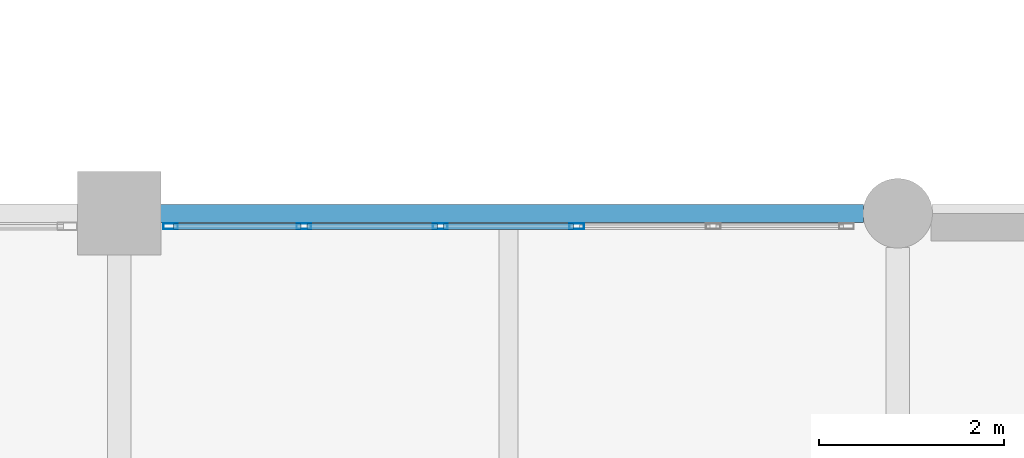
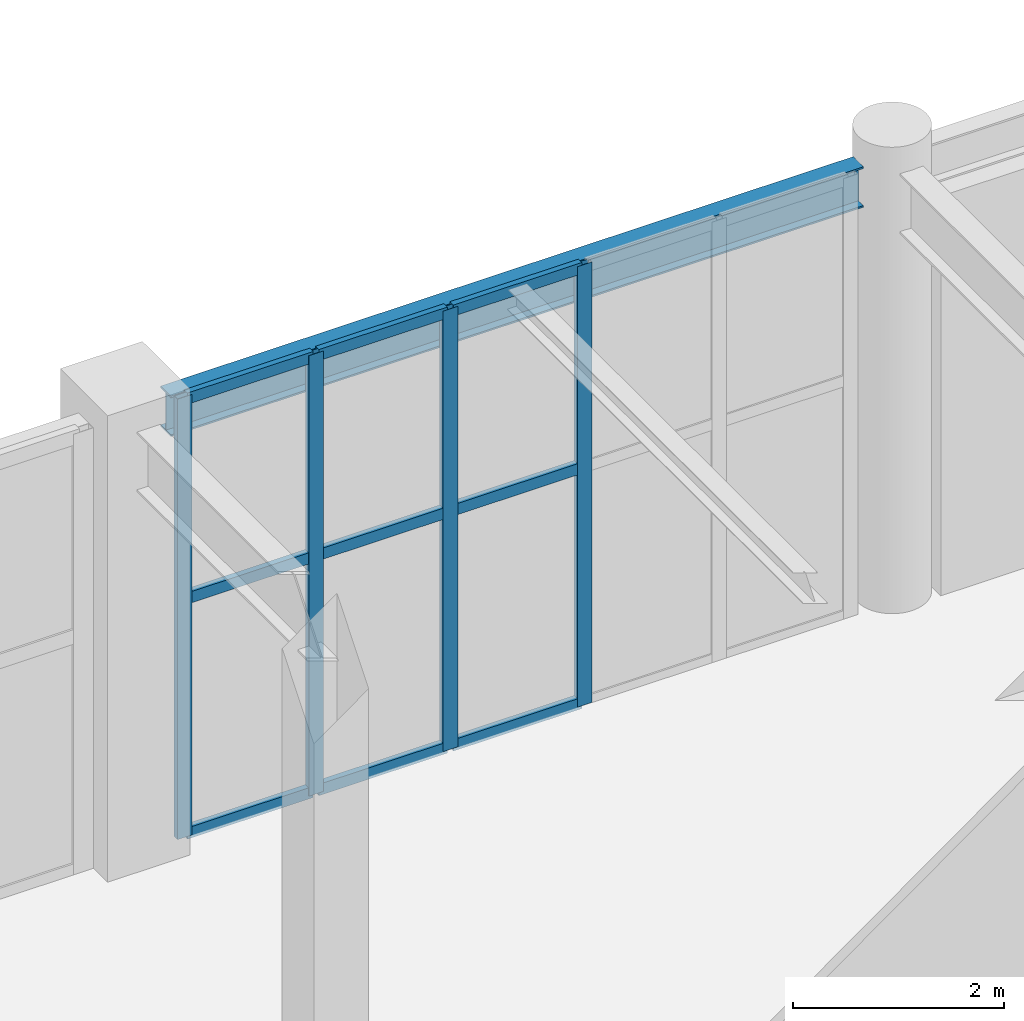
# One storey, part 59 of 139: 13 members, 1 beam, 1 element without a shape of its own.
"""IFC4 building model written with IfcOpenShell, lengths in metres."""

from ifc_helpers import new_model, si_unit, direction, frame, origin, origin_2d, place, context, subcontext, project, spatial, hollow_rectangle, i_section, extrude, material, layer, layer_set, material_profile, profile_set, type_object, element, aggregate, save


model = new_model("IFC4")

# Units and contexts
model_context = context("Model", 3, precision=1e-05, world=origin(), true_north=direction((0.0, 1.0)))
body_context = subcontext(model_context, "Body", "Model", "MODEL_VIEW")
ifc_project = project(units=[si_unit("LENGTHUNIT", "METRE"), si_unit("AREAUNIT", "SQUARE_METRE"), si_unit("VOLUMEUNIT", "CUBIC_METRE"), si_unit("PLANEANGLEUNIT", "RADIAN"), si_unit("MASSUNIT", "GRAM", prefix="KILO")], contexts=[model_context])

# Site, building, storey
site_placement = place(None, origin())
site = spatial("IfcSite", under=ifc_project, at=site_placement, CompositionType="ELEMENT")
building_placement = place(site_placement, origin())
building = spatial("IfcBuilding", under=site, at=building_placement, Name="Xicomal Pleat Aquarium", CompositionType="ELEMENT")
storey_placement = place(building_placement, origin())
storey = spatial("IfcBuildingStorey", under=building, at=storey_placement, Name="L01", CompositionType="ELEMENT", Elevation=0.0)

# Beam
ifc_material_1 = material(Name="Structural steel A992 Gr 50", Category="steel")
ifc_material_profile_1 = material_profile(ifc_material_1, i_section(OverallWidth=0.194091796875, OverallDepth=0.468994140625, WebThickness=0.0126953125, FlangeThickness=0.0205078125, at=origin_2d()), Name="IR 460x106")
ifc_profile_set_1 = profile_set([ifc_material_profile_1], Name="Structural steel A992 Gr 50")
beam_type = type_object("IfcBeamType", Name="BM-STL-IR460", PredefinedType="BEAM", material=ifc_profile_set_1)
beam_placement = place(storey_placement, frame((61.044921875, 83.60009765625, 4.865478515625), z_axis=(1.0, 0.0, 0.0), x_axis=(0.0, 1.0, 0.0)))
element("IfcBeam", 1, at=beam_placement, inside=storey, type_object=beam_type, Name="L01 framing beam FGX-L01-08-09-M", PredefinedType="BEAM", context=body_context, shape_type="SweptSolid", body=[
    extrude(i_section(OverallWidth=0.194091796875, OverallDepth=0.468994140625, WebThickness=0.0126953125, FlangeThickness=0.0205078125, at=origin_2d()), origin(), (0.0, 0.0, 1.0), 7.5849609375),
])

# Curtain wall, members
ifc_material_2 = material(Name="Bronze anodized aluminium 6063-T6", Category="aluminium")
ifc_layer = layer(ifc_material_2, 0.159912109375)
ifc_layer_set = layer_set([ifc_layer], Name="Bronze anodized aluminium 6063-T6")
curtain_wall_type = type_object("IfcCurtainWallType", Name="CW-SYS-01", PredefinedType="NOTDEFINED", material=ifc_layer_set)
curtain_wall_placement = place(storey_placement, origin())
curtain_wall = element("IfcCurtainWall", 2, at=curtain_wall_placement, inside=storey, type_object=curtain_wall_type, Name="L01 unitised curtain wall CW-L01-036", PredefinedType="NOTDEFINED")
ifc_material_3 = material(Name="Bronze anodized aluminium 6063-T6", Category="aluminium")
ifc_material_profile_2 = material_profile(ifc_material_3, hollow_rectangle(XDim=0.06494140625, YDim=0.159912109375, WallThickness=0.00390625, at=origin_2d()), Name="ALU MULL 65x160")
ifc_profile_set_2 = profile_set([ifc_material_profile_2], Name="Bronze anodized aluminium 6063-T6")
member_type_1 = type_object("IfcMemberType", Name="CWM-65x160", PredefinedType="MULLION", material=ifc_profile_set_2)
member_1_placement = place(storey_placement, frame((61.152587890625, 83.4599609375, 0.0), z_axis=(0.0, 0.0, 1.0), x_axis=(0.0, 1.0, 0.0)))
member_1 = element("IfcMember", 3, at=member_1_placement, type_object=member_type_1, Name="CW-01 mullion 1", PredefinedType="MULLION", context=body_context, shape_type="SweptSolid", body=[
    extrude(hollow_rectangle(XDim=0.06494140625, YDim=0.159912109375, WallThickness=0.00390625, at=origin_2d()), origin(), (0.0, 0.0, 1.0), 5.10009765625),
])
member_2_placement = place(storey_placement, frame((62.592041015625, 83.4599609375, 0.0), z_axis=(0.0, 0.0, 1.0), x_axis=(0.0, 1.0, 0.0)))
member_2 = element("IfcMember", 4, at=member_2_placement, type_object=member_type_1, Name="CW-01 mullion 2", PredefinedType="MULLION", context=body_context, shape_type="SweptSolid", body=[
    extrude(hollow_rectangle(XDim=0.06494140625, YDim=0.159912109375, WallThickness=0.00390625, at=origin_2d()), origin(), (0.0, 0.0, 1.0), 5.10009765625),
])
member_3_placement = place(storey_placement, frame((64.06396484375, 83.4599609375, 0.0), z_axis=(0.0, 0.0, 1.0), x_axis=(0.0, 1.0, 0.0)))
member_3 = element("IfcMember", 5, at=member_3_placement, type_object=member_type_1, Name="CW-01 mullion 3", PredefinedType="MULLION", context=body_context, shape_type="SweptSolid", body=[
    extrude(hollow_rectangle(XDim=0.06494140625, YDim=0.159912109375, WallThickness=0.00390625, at=origin_2d()), origin(), (0.0, 0.0, 1.0), 5.10009765625),
])
member_4_placement = place(storey_placement, frame((65.535888671875, 83.4599609375, 0.0), z_axis=(0.0, 0.0, 1.0), x_axis=(0.0, 1.0, 0.0)))
member_4 = element("IfcMember", 6, at=member_4_placement, type_object=member_type_1, Name="CW-01 mullion 4", PredefinedType="MULLION", context=body_context, shape_type="SweptSolid", body=[
    extrude(hollow_rectangle(XDim=0.06494140625, YDim=0.159912109375, WallThickness=0.00390625, at=origin_2d()), origin(), (0.0, 0.0, 1.0), 5.10009765625),
])
ifc_material_4 = material(Name="Bronze anodized aluminium 6063-T6", Category="aluminium")
ifc_material_profile_3 = material_profile(ifc_material_4, hollow_rectangle(XDim=0.06494140625, YDim=0.1298828125, WallThickness=0.00390625, at=origin_2d()), Name="ALU TRAN 65x130")
ifc_profile_set_3 = profile_set([ifc_material_profile_3], Name="Bronze anodized aluminium 6063-T6")
member_type_2 = type_object("IfcMemberType", Name="CWT-65x130", PredefinedType="USERDEFINED", material=ifc_profile_set_3)
member_5_placement = place(storey_placement, frame((61.18505859375, 83.4599609375, 0.032470703125), z_axis=(1.0, 0.0, 0.0), x_axis=(0.0, 1.0, 0.0)))
member_5 = element("IfcMember", 7, at=member_5_placement, type_object=member_type_2, Name="CW-01 transom 1.1", ObjectType="TRANSOM", PredefinedType="USERDEFINED", context=body_context, shape_type="SweptSolid", body=[
    extrude(hollow_rectangle(XDim=0.06494140625, YDim=0.1298828125, WallThickness=0.00390625, at=origin_2d()), origin(), (0.0, 0.0, 1.0), 1.37451171875),
])
member_6_placement = place(storey_placement, frame((61.18505859375, 83.4599609375, 2.75390625), z_axis=(1.0, 0.0, 0.0), x_axis=(0.0, 1.0, 0.0)))
member_6 = element("IfcMember", 8, at=member_6_placement, type_object=member_type_2, Name="CW-01 transom 1.2", ObjectType="TRANSOM", PredefinedType="USERDEFINED", context=body_context, shape_type="SweptSolid", body=[
    extrude(hollow_rectangle(XDim=0.06494140625, YDim=0.1298828125, WallThickness=0.00390625, at=origin_2d()), origin(), (0.0, 0.0, 1.0), 1.37451171875),
])
member_7_placement = place(storey_placement, frame((61.18505859375, 83.4599609375, 5.0673828125), z_axis=(1.0, 0.0, 0.0), x_axis=(0.0, 1.0, 0.0)))
member_7 = element("IfcMember", 9, at=member_7_placement, type_object=member_type_2, Name="CW-01 transom 1.3", ObjectType="TRANSOM", PredefinedType="USERDEFINED", context=body_context, shape_type="SweptSolid", body=[
    extrude(hollow_rectangle(XDim=0.06494140625, YDim=0.1298828125, WallThickness=0.00390625, at=origin_2d()), origin(), (0.0, 0.0, 1.0), 1.37451171875),
])
member_8_placement = place(storey_placement, frame((62.62451171875, 83.4599609375, 0.032470703125), z_axis=(1.0, 0.0, 0.0), x_axis=(0.0, 1.0, 0.0)))
member_8 = element("IfcMember", 10, at=member_8_placement, type_object=member_type_2, Name="CW-01 transom 2.1", ObjectType="TRANSOM", PredefinedType="USERDEFINED", context=body_context, shape_type="SweptSolid", body=[
    extrude(hollow_rectangle(XDim=0.06494140625, YDim=0.1298828125, WallThickness=0.00390625, at=origin_2d()), origin(), (0.0, 0.0, 1.0), 1.406982421875),
])
member_9_placement = place(storey_placement, frame((62.62451171875, 83.4599609375, 2.75390625), z_axis=(1.0, 0.0, 0.0), x_axis=(0.0, 1.0, 0.0)))
member_9 = element("IfcMember", 11, at=member_9_placement, type_object=member_type_2, Name="CW-01 transom 2.2", ObjectType="TRANSOM", PredefinedType="USERDEFINED", context=body_context, shape_type="SweptSolid", body=[
    extrude(hollow_rectangle(XDim=0.06494140625, YDim=0.1298828125, WallThickness=0.00390625, at=origin_2d()), origin(), (0.0, 0.0, 1.0), 1.406982421875),
])
member_10_placement = place(storey_placement, frame((62.62451171875, 83.4599609375, 5.0673828125), z_axis=(1.0, 0.0, 0.0), x_axis=(0.0, 1.0, 0.0)))
member_10 = element("IfcMember", 12, at=member_10_placement, type_object=member_type_2, Name="CW-01 transom 2.3", ObjectType="TRANSOM", PredefinedType="USERDEFINED", context=body_context, shape_type="SweptSolid", body=[
    extrude(hollow_rectangle(XDim=0.06494140625, YDim=0.1298828125, WallThickness=0.00390625, at=origin_2d()), origin(), (0.0, 0.0, 1.0), 1.406982421875),
])
member_11_placement = place(storey_placement, frame((64.096435546875, 83.4599609375, 0.032470703125), z_axis=(1.0, 0.0, 0.0), x_axis=(0.0, 1.0, 0.0)))
member_11 = element("IfcMember", 13, at=member_11_placement, type_object=member_type_2, Name="CW-01 transom 3.1", ObjectType="TRANSOM", PredefinedType="USERDEFINED", context=body_context, shape_type="SweptSolid", body=[
    extrude(hollow_rectangle(XDim=0.06494140625, YDim=0.1298828125, WallThickness=0.00390625, at=origin_2d()), origin(), (0.0, 0.0, 1.0), 1.406982421875),
])
member_12_placement = place(storey_placement, frame((64.096435546875, 83.4599609375, 2.75390625), z_axis=(1.0, 0.0, 0.0), x_axis=(0.0, 1.0, 0.0)))
member_12 = element("IfcMember", 14, at=member_12_placement, type_object=member_type_2, Name="CW-01 transom 3.2", ObjectType="TRANSOM", PredefinedType="USERDEFINED", context=body_context, shape_type="SweptSolid", body=[
    extrude(hollow_rectangle(XDim=0.06494140625, YDim=0.1298828125, WallThickness=0.00390625, at=origin_2d()), origin(), (0.0, 0.0, 1.0), 1.406982421875),
])
member_13_placement = place(storey_placement, frame((64.096435546875, 83.4599609375, 5.0673828125), z_axis=(1.0, 0.0, 0.0), x_axis=(0.0, 1.0, 0.0)))
member_13 = element("IfcMember", 15, at=member_13_placement, type_object=member_type_2, Name="CW-01 transom 3.3", ObjectType="TRANSOM", PredefinedType="USERDEFINED", context=body_context, shape_type="SweptSolid", body=[
    extrude(hollow_rectangle(XDim=0.06494140625, YDim=0.1298828125, WallThickness=0.00390625, at=origin_2d()), origin(), (0.0, 0.0, 1.0), 1.406982421875),
])
aggregate(curtain_wall, [member_1, member_2, member_3, member_4, member_5, member_6, member_7, member_8, member_9, member_10, member_11, member_12, member_13])

save(model, "model.ifc")
